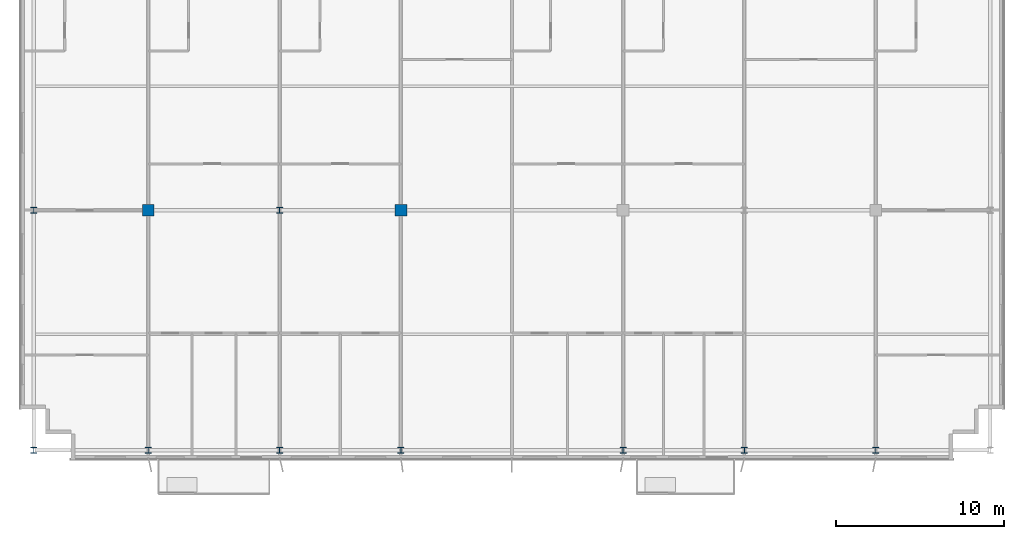
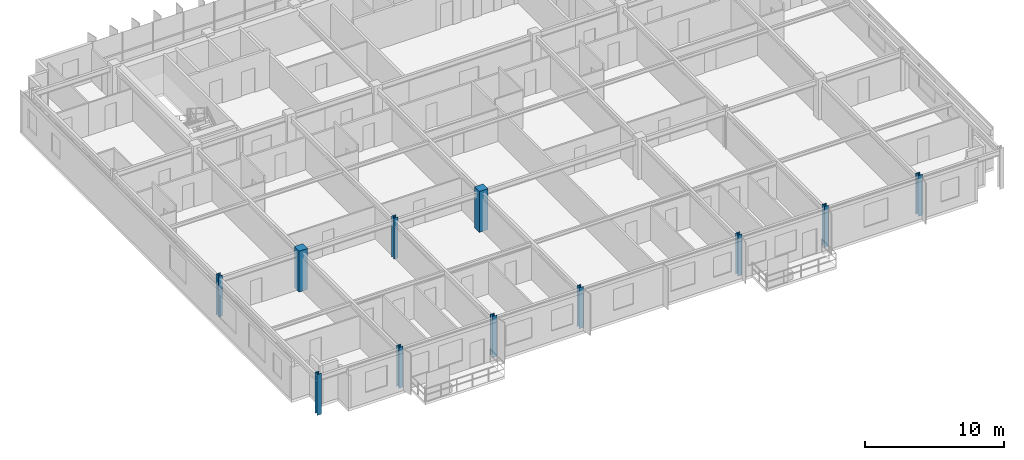
# One storey, part 1 of 23: 11 columns.
"""IFC4 building model written with IfcOpenShell, lengths in metres."""

from ifc_helpers import new_model, si_unit, direction, frame, origin, origin_2d, place, context, subcontext, project, spatial, rectangle, i_section, extrude, source, transform, mapped, material, material_profile, profile_set, type_object, element, save


model = new_model("IFC4")

# Units and contexts
model_context = context("Model", 3, precision=1e-05, world=origin(), true_north=direction((0.0, 1.0)))
body_context = subcontext(model_context, "Body", "Model", "MODEL_VIEW")
ifc_project = project(units=[si_unit("LENGTHUNIT", "METRE"), si_unit("AREAUNIT", "SQUARE_METRE"), si_unit("VOLUMEUNIT", "CUBIC_METRE"), si_unit("PLANEANGLEUNIT", "RADIAN"), si_unit("MASSUNIT", "GRAM", prefix="KILO")], contexts=[model_context])

# Site, building, storey
site_placement = place(None, origin())
site = spatial("IfcSite", under=ifc_project, at=site_placement, CompositionType="ELEMENT")
building_placement = place(site_placement, origin())
building = spatial("IfcBuilding", under=site, at=building_placement, Name="Trelvane Seafront Commons", CompositionType="ELEMENT")
storey_placement = place(building_placement, frame((0.0, 0.0, 219.300048828125)))
storey = spatial("IfcBuildingStorey", under=building, at=storey_placement, Name="L57", CompositionType="ELEMENT", Elevation=219.300048828125)

# Columns
ifc_material_1 = material(Name="Concrete C50/60", Category="concrete")
ifc_material_profile_1 = material_profile(ifc_material_1, rectangle(XDim=0.699951171875, YDim=0.699951171875, at=origin_2d()), Name="RC-700x700")
ifc_profile_set_1 = profile_set([ifc_material_profile_1], Name="Concrete C50/60")
column_type_1 = type_object("IfcColumnType", Name="STR-COL-RC700", PredefinedType="COLUMN", material=ifc_profile_set_1)
shared_shape_1 = source(origin(), body_context, "Body", "SweptSolid", [
    extrude(rectangle(XDim=0.699951171875, YDim=0.699951171875, at=origin_2d()), origin(), (0.0, 0.0, 1.0), 3.599853515625),
])
for number, where, z_axis, x_axis, name in (
    (1, (15.60009765625, 18.199951171875, 0.0), (0.0, 0.0, 1.0), (1.0, 0.0, 0.0), "L57 Column TC-M15.6"),
    (2, (30.60009765625, 18.199951171875, 0.0), (0.0, 0.0, 1.0), (1.0, 0.0, 0.0), "L57 Column TC-M30.6"),
):
    element("IfcColumn", number, at=place(storey_placement, frame(where, z_axis=z_axis, x_axis=x_axis)), inside=storey, type_object=column_type_1, Name=name, PredefinedType="COLUMN", context=body_context, shape_type="MappedRepresentation", body=[
        mapped(shared_shape_1, transform((0.0, 0.0, 0.0), x_axis=(1.0, 0.0, 0.0), y_axis=(0.0, 1.0, 0.0), z_axis=(0.0, 0.0, 1.0), scale=1.0)),
    ])
ifc_material_2 = material(Name="Steel SM355 (S355)", Category="steel")
ifc_material_profile_2 = material_profile(ifc_material_2, i_section(OverallWidth=0.35009765625, OverallDepth=0.35009765625, WebThickness=0.01806640625, FlangeThickness=0.028076171875, at=origin_2d()), Name="HD-350x350x18x28")
ifc_profile_set_2 = profile_set([ifc_material_profile_2], Name="Steel SM355 (S355)")
column_type_2 = type_object("IfcColumnType", Name="STR-COL-HD350", PredefinedType="COLUMN", material=ifc_profile_set_2)
shared_shape_2 = source(origin(), body_context, "Body", "SweptSolid", [
    extrude(i_section(OverallWidth=0.35009765625, OverallDepth=0.35009765625, WebThickness=0.01806640625, FlangeThickness=0.028076171875, at=origin_2d()), origin(), (0.0, 0.0, 1.0), 3.599853515625),
])
for number, where, z_axis, x_axis, name in (
    (3, (8.800048828125, 3.949951171875, 0.0), (0.0, 0.0, 1.0), (1.0, 0.0, 0.0), "L57 Column TC-S8.8"),
    (4, (8.800048828125, 18.199951171875, 0.0), (0.0, 0.0, 1.0), (1.0, 0.0, 0.0), "L57 Column TC-M8.8"),
    (5, (15.60009765625, 3.949951171875, 0.0), (0.0, 0.0, 1.0), (1.0, 0.0, 0.0), "L57 Column TC-S15.6"),
    (6, (23.39990234375, 3.949951171875, 0.0), (0.0, 0.0, 1.0), (1.0, 0.0, 0.0), "L57 Column TC-S23.4"),
    (7, (23.39990234375, 18.199951171875, 0.0), (0.0, 0.0, 1.0), (1.0, 0.0, 0.0), "L57 Column TC-M23.4"),
    (8, (30.60009765625, 3.949951171875, 0.0), (0.0, 0.0, 1.0), (1.0, 0.0, 0.0), "L57 Column TC-S30.6"),
    (9, (43.800048828125, 3.949951171875, 0.0), (0.0, 0.0, 1.0), (1.0, 0.0, 0.0), "L57 Column TC-S43.8"),
    (10, (51.0, 3.949951171875, 0.0), (0.0, 0.0, 1.0), (1.0, 0.0, 0.0), "L57 Column TC-S51.0"),
    (11, (58.800048828125, 3.949951171875, 0.0), (0.0, 0.0, 1.0), (1.0, 0.0, 0.0), "L57 Column TC-S58.8"),
):
    element("IfcColumn", number, at=place(storey_placement, frame(where, z_axis=z_axis, x_axis=x_axis)), inside=storey, type_object=column_type_2, Name=name, PredefinedType="COLUMN", context=body_context, shape_type="MappedRepresentation", body=[
        mapped(shared_shape_2, transform((0.0, 0.0, 0.0), x_axis=(1.0, 0.0, 0.0), y_axis=(0.0, 1.0, 0.0), z_axis=(0.0, 0.0, 1.0), scale=1.0)),
    ])

save(model, "model.ifc")
